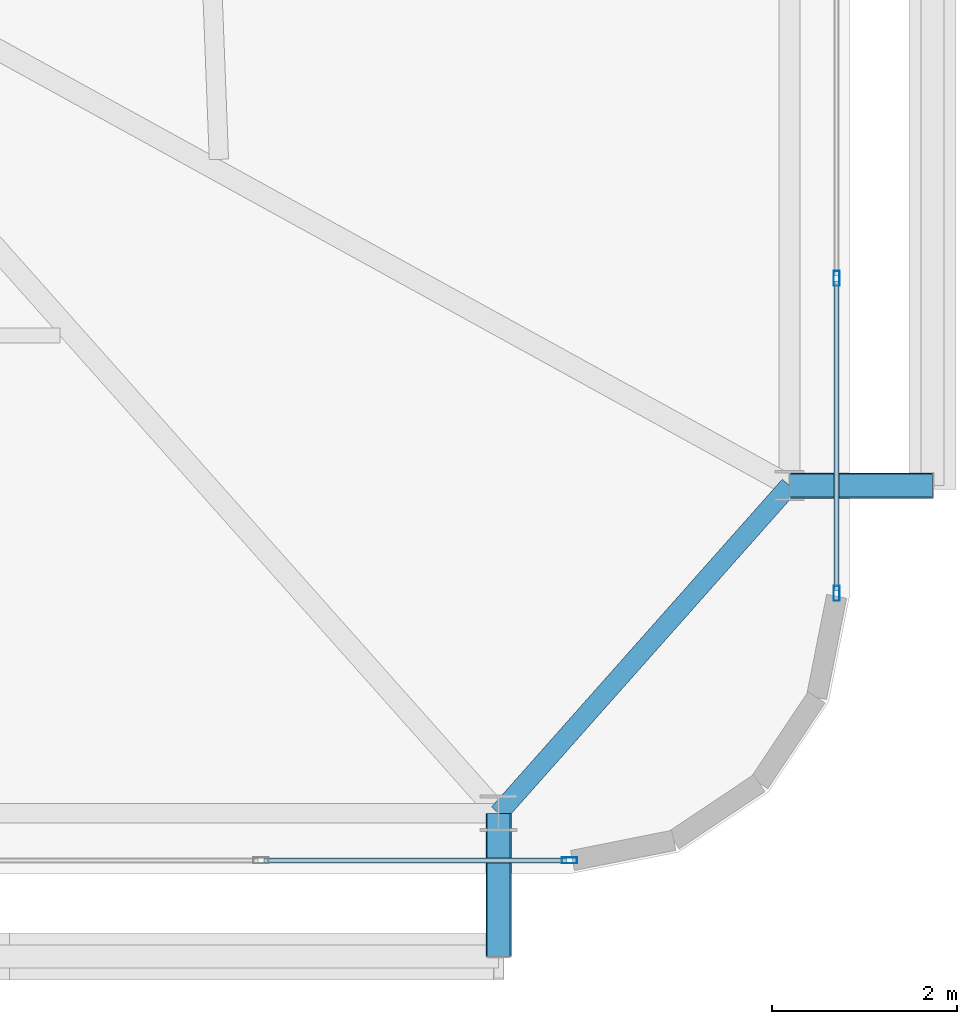
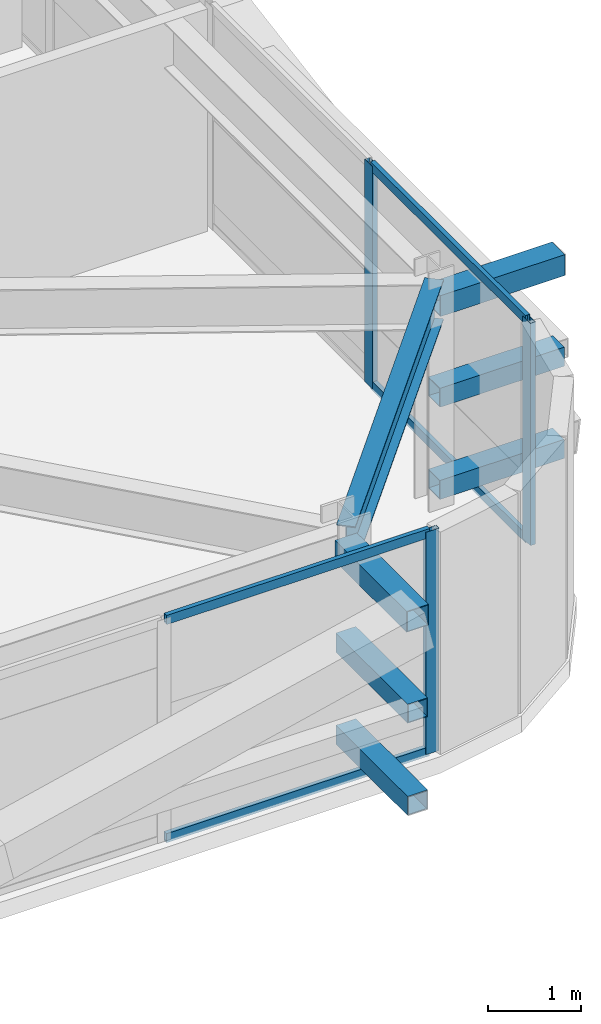
# One storey, part 24 of 59: 13 members, 1 beam, 2 elements without a shape of their own.
"""IFC4 building model written with IfcOpenShell, lengths in metres."""

from ifc_helpers import new_model, si_unit, direction, frame, origin, origin_2d, place, context, subcontext, project, spatial, hollow_rectangle, i_section, extrude, source, transform, mapped, material, layer, layer_set, material_profile, profile_set, type_object, element, aggregate, save


model = new_model("IFC4")

# Units and contexts
model_context = context("Model", 3, precision=1e-05, world=origin(), true_north=direction((0.0, 1.0)))
body_context = subcontext(model_context, "Body", "Model", "MODEL_VIEW")
ifc_project = project(units=[si_unit("LENGTHUNIT", "METRE"), si_unit("AREAUNIT", "SQUARE_METRE"), si_unit("VOLUMEUNIT", "CUBIC_METRE"), si_unit("PLANEANGLEUNIT", "RADIAN"), si_unit("MASSUNIT", "GRAM", prefix="KILO")], contexts=[model_context])

# Site, building, storey
site_placement = place(None, origin())
site = spatial("IfcSite", under=ifc_project, at=site_placement, CompositionType="ELEMENT")
building_placement = place(site_placement, origin())
building = spatial("IfcBuilding", under=site, at=building_placement, Name="Taldren Reach Tower", CompositionType="ELEMENT")
storey_placement = place(building_placement, frame((0.0, 0.0, 23.10009765625)))
storey = spatial("IfcBuildingStorey", under=building, at=storey_placement, Name="L06", CompositionType="ELEMENT", Elevation=23.10009765625)

# Beam
ifc_material_1 = material(Name="Steel Gr 350 (350PLUS)", Category="steel")
ifc_material_profile_1 = material_profile(ifc_material_1, i_section(OverallWidth=0.208984375, OverallDepth=0.528076171875, WebThickness=0.009521484375, FlangeThickness=0.01318359375, at=origin_2d()), Name="530UB82.0")
ifc_profile_set_1 = profile_set([ifc_material_profile_1], Name="Steel Gr 350 (350PLUS)")
beam_type = type_object("IfcBeamType", Name="SP-UB530B", PredefinedType="SPANDREL", material=ifc_profile_set_1)
shared_shape_1 = source(origin(), body_context, "Body", "SweptSolid", [
    extrude(i_section(OverallWidth=0.208984375, OverallDepth=0.528076171875, WebThickness=0.009521484375, FlangeThickness=0.01318359375, at=origin_2d()), origin(), (0.0, 0.0, 1.0), 4.74609375),
])
beam_placement = place(storey_placement, frame((61.199951171875, 2.14990234375, 2.666015625), z_axis=(0.663721843779, 0.747979487747, 0.0), x_axis=(-0.747979487747, 0.663721843779, 0.0)))
element("IfcBeam", 1, at=beam_placement, inside=storey, type_object=beam_type, Name="Perimeter spandrel B1 S6-E1 L06", PredefinedType="SPANDREL", context=body_context, shape_type="MappedRepresentation", body=[
    mapped(shared_shape_1, transform((0.0, 0.0, 0.0), scale=1.0)),
])

# Members
ifc_material_2 = material(Name="Steel Gr 450 (C450L0)", Category="steel")
ifc_material_profile_2 = material_profile(ifc_material_2, hollow_rectangle(XDim=0.27490234375, YDim=0.27490234375, WallThickness=0.00927734375, at=origin_2d()), Name="275x275x9.3SHS")
ifc_profile_set_2 = profile_set([ifc_material_profile_2], Name="Steel Gr 450 (C450L0)")
member_type_1 = type_object("IfcMemberType", Name="MB-TIE273", PredefinedType="STRUT", material=ifc_profile_set_2)
shared_shape_2 = source(origin(), body_context, "Body", "SweptSolid", [
    extrude(hollow_rectangle(XDim=0.27490234375, YDim=0.27490234375, WallThickness=0.00927734375, at=origin_2d()), origin(), (0.0, 0.0, 1.0), 1.5498046875),
])
for number, where, z_axis, x_axis, name in (
    (2, (61.199951171875, 2.14990234375, 2.64990234375), (0.0, -1.0, 0.0), (1.0, 0.0, 0.0), "Exoskeleton diaphragm tie strut B1-S6 L06"),
    (3, (64.35009765625, 5.699951171875, 2.64990234375), (1.0, 0.0, 0.0), (0.0, 1.0, 0.0), "Exoskeleton diaphragm tie strut B1-E1 L06"),
):
    element("IfcMember", number, at=place(storey_placement, frame(where, z_axis=z_axis, x_axis=x_axis)), inside=storey, type_object=member_type_1, Name=name, PredefinedType="STRUT", context=body_context, shape_type="MappedRepresentation", body=[
        mapped(shared_shape_2, transform((0.0, 0.0, 0.0), scale=1.0)),
    ])
ifc_material_3 = material(Name="Steel Gr 350 (C350L0)", Category="steel")
ifc_material_profile_3 = material_profile(ifc_material_3, hollow_rectangle(XDim=0.25, YDim=0.25, WallThickness=0.010009765625, at=origin_2d()), Name="250x250x10.0SHS")
ifc_profile_set_3 = profile_set([ifc_material_profile_3], Name="Steel Gr 350 (C350L0)")
member_type_2 = type_object("IfcMemberType", Name="MB-POST250", PredefinedType="POST", material=ifc_profile_set_3)
shared_shape_3 = source(origin(), body_context, "Body", "SweptSolid", [
    extrude(hollow_rectangle(XDim=0.25, YDim=0.25, WallThickness=0.010009765625, at=origin_2d()), origin(), (0.0, 0.0, 1.0), 1.5498046875),
])
for number, where, z_axis, x_axis, name in (
    (4, (61.199951171875, 2.14990234375, 0.219970703125), (0.0, -1.0, 0.0), (1.0, 0.0, 0.0), "Exoskeleton base diaphragm tie strut B1-S6 L06"),
    (5, (64.35009765625, 5.699951171875, 0.219970703125), (1.0, 0.0, 0.0), (0.0, 1.0, 0.0), "Exoskeleton base diaphragm tie strut B1-E1 L06"),
    (6, (61.199951171875, 2.14990234375, 1.434814453125), (0.0, -1.0, 0.0), (1.0, 0.0, 0.0), "Exoskeleton mid-tier diaphragm tie B1-S6 L06"),
    (7, (64.35009765625, 5.699951171875, 1.434814453125), (1.0, 0.0, 0.0), (0.0, 1.0, 0.0), "Exoskeleton mid-tier diaphragm tie B1-E1 L06"),
):
    element("IfcMember", number, at=place(storey_placement, frame(where, z_axis=z_axis, x_axis=x_axis)), inside=storey, type_object=member_type_2, Name=name, PredefinedType="POST", context=body_context, shape_type="MappedRepresentation", body=[
        mapped(shared_shape_3, transform((0.0, 0.0, 0.0), scale=1.0)),
    ])

# Curtain wall, member
ifc_material_4 = material(Name="Aluminium and Low-E Glass Unitised System", Category="aluminium")
ifc_layer = layer(ifc_material_4, 0.159912109375)
ifc_layer_set = layer_set([ifc_layer], Name="Aluminium and Low-E Glass Unitised System")
curtain_wall_type = type_object("IfcCurtainWallType", Name="CW-SYS-2", PredefinedType="NOTDEFINED", material=ifc_layer_set)
curtain_wall_1_placement = place(storey_placement, origin())
curtain_wall_1 = element("IfcCurtainWall", 8, at=curtain_wall_1_placement, inside=storey, type_object=curtain_wall_type, Name="Unitised curtain wall CW-L06-S", PredefinedType="NOTDEFINED")
ifc_material_5 = material(Name="Anodised Aluminium 6063-T6", Category="aluminium")
ifc_material_profile_4 = material_profile(ifc_material_5, hollow_rectangle(XDim=0.06494140625, YDim=0.1650390625, WallThickness=0.00390625, at=origin_2d()), Name="ALU-165x65x4RHS")
ifc_profile_set_4 = profile_set([ifc_material_profile_4], Name="Anodised Aluminium 6063-T6")
member_type_3 = type_object("IfcMemberType", Name="CW-MUL-165", PredefinedType="MULLION", material=ifc_profile_set_4)
shared_shape_4 = source(origin(), body_context, "Body", "SweptSolid", [
    extrude(hollow_rectangle(XDim=0.06494140625, YDim=0.1650390625, WallThickness=0.00390625, at=origin_2d()), origin(), (0.0, 0.0, 1.0), 2.929931640625),
])
member_1_placement = place(storey_placement, frame((61.967529296875, 1.639892578125, 0.0), z_axis=(0.0, 0.0, 1.0), x_axis=(0.0, 1.0, 0.0)))
member_1 = element("IfcMember", 9, at=member_1_placement, type_object=member_type_3, Name="CW-2 mullion 17", PredefinedType="MULLION", context=body_context, shape_type="MappedRepresentation", body=[
    mapped(shared_shape_4, transform((0.0, 0.0, 0.0), scale=1.0)),
])

# Curtain wall, members
curtain_wall_2_placement = place(storey_placement, origin())
curtain_wall_2 = element("IfcCurtainWall", 10, at=curtain_wall_2_placement, inside=storey, type_object=curtain_wall_type, Name="Unitised curtain wall CW-L06-E", PredefinedType="NOTDEFINED")
member_2_placement = place(storey_placement, frame((64.860107421875, 4.532470703125, 0.0), z_axis=(0.0, 0.0, 1.0), x_axis=(-1.0, 0.0, 0.0)))
member_2 = element("IfcMember", 11, at=member_2_placement, type_object=member_type_3, Name="CW-2 mullion 1", PredefinedType="MULLION", context=body_context, shape_type="MappedRepresentation", body=[
    mapped(shared_shape_4, transform((0.0, 0.0, 0.0), scale=1.0)),
])
member_3_placement = place(storey_placement, frame((64.860107421875, 7.9443359375, 0.0), z_axis=(0.0, 0.0, 1.0), x_axis=(-1.0, 0.0, 0.0)))
member_3 = element("IfcMember", 12, at=member_3_placement, type_object=member_type_3, Name="CW-2 mullion 2", PredefinedType="MULLION", context=body_context, shape_type="MappedRepresentation", body=[
    mapped(shared_shape_4, transform((0.0, 0.0, 0.0), scale=1.0)),
])

# Member
ifc_material_profile_5 = material_profile(ifc_material_5, hollow_rectangle(XDim=0.054931640625, YDim=0.1201171875, WallThickness=0.0029296875, at=origin_2d()), Name="ALU-120x55x3RHS")
ifc_profile_set_5 = profile_set([ifc_material_profile_5], Name="Anodised Aluminium 6063-T6")
member_type_4 = type_object("IfcMemberType", Name="CW-TRN-135", PredefinedType="USERDEFINED", material=ifc_profile_set_5)
shared_shape_5 = source(origin(), body_context, "Body", "SweptSolid", [
    extrude(hollow_rectangle(XDim=0.054931640625, YDim=0.1201171875, WallThickness=0.0029296875, at=origin_2d()), origin(), (0.0, 0.0, 1.0), 3.277587890625),
])
member_4_placement = place(storey_placement, frame((58.657470703125, 1.639892578125, 0.02734375), z_axis=(1.0, 0.0, 0.0), x_axis=(0.0, 1.0, 0.0)))
member_4 = element("IfcMember", 13, at=member_4_placement, type_object=member_type_4, Name="CW-2 transom 16.1", ObjectType="TRANSOM", PredefinedType="USERDEFINED", context=body_context, shape_type="MappedRepresentation", body=[
    mapped(shared_shape_5, transform((0.0, 0.0, 0.0), scale=1.0)),
])

member_5_placement = place(storey_placement, frame((58.657470703125, 1.639892578125, 2.90234375), z_axis=(1.0, 0.0, 0.0), x_axis=(0.0, 1.0, 0.0)))
member_5 = element("IfcMember", 14, at=member_5_placement, type_object=member_type_4, Name="CW-2 transom 16.2", ObjectType="TRANSOM", PredefinedType="USERDEFINED", context=body_context, shape_type="MappedRepresentation", body=[
    mapped(shared_shape_5, transform((0.0, 0.0, 0.0), scale=1.0)),
])

aggregate(curtain_wall_1, [member_1, member_4, member_5])

shared_shape_6 = source(origin(), body_context, "Body", "SweptSolid", [
    extrude(hollow_rectangle(XDim=0.054931640625, YDim=0.1201171875, WallThickness=0.0029296875, at=origin_2d()), origin(), (0.0, 0.0, 1.0), 3.346923828125),
])
member_6_placement = place(storey_placement, frame((64.860107421875, 4.56494140625, 0.02734375), z_axis=(0.0, 1.0, 0.0), x_axis=(-1.0, 0.0, 0.0)))
member_6 = element("IfcMember", 15, at=member_6_placement, type_object=member_type_4, Name="CW-2 transom 1.1", ObjectType="TRANSOM", PredefinedType="USERDEFINED", context=body_context, shape_type="MappedRepresentation", body=[
    mapped(shared_shape_6, transform((0.0, 0.0, 0.0), scale=1.0)),
])

member_7_placement = place(storey_placement, frame((64.860107421875, 4.56494140625, 2.90234375), z_axis=(0.0, 1.0, 0.0), x_axis=(-1.0, 0.0, 0.0)))
member_7 = element("IfcMember", 16, at=member_7_placement, type_object=member_type_4, Name="CW-2 transom 1.2", ObjectType="TRANSOM", PredefinedType="USERDEFINED", context=body_context, shape_type="MappedRepresentation", body=[
    mapped(shared_shape_6, transform((0.0, 0.0, 0.0), scale=1.0)),
])

aggregate(curtain_wall_2, [member_2, member_3, member_6, member_7])

save(model, "model.ifc")
